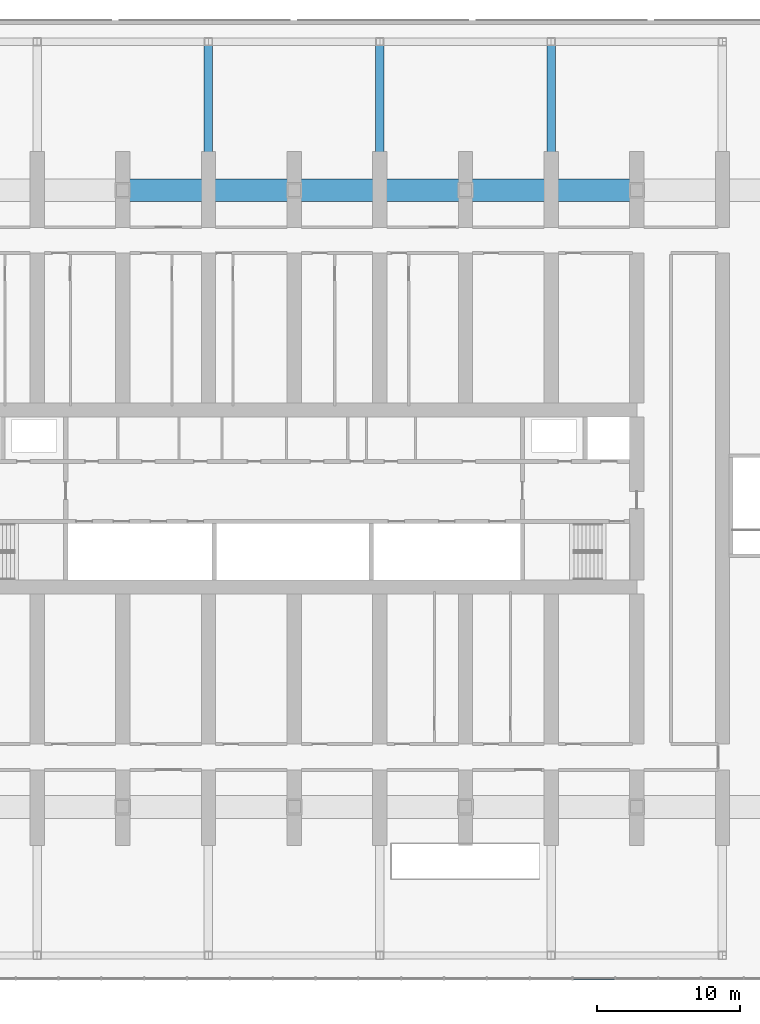
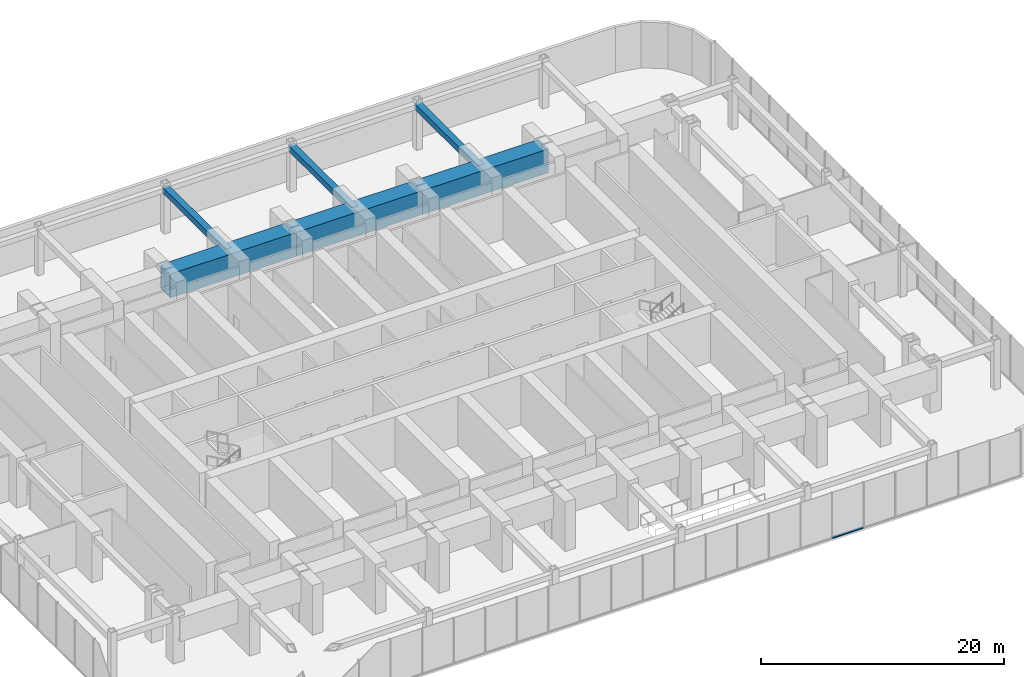
# One storey, part 7 of 26: 6 beams, 1 member, 1 element without a shape of its own.
"""IFC4 building model written with IfcOpenShell, lengths in metres."""

from ifc_helpers import new_model, si_unit, direction, frame, origin, origin_2d, place, context, subcontext, project, spatial, rectangle, hollow_rectangle, extrude, material, material_profile, profile_set, type_object, element, aggregate, save


model = new_model("IFC4")

# Units and contexts
model_context = context("Model", 3, precision=1e-05, world=origin(), true_north=direction((0.0, 1.0)))
body_context = subcontext(model_context, "Body", "Model", "MODEL_VIEW")
ifc_project = project(units=[si_unit("LENGTHUNIT", "METRE"), si_unit("AREAUNIT", "SQUARE_METRE"), si_unit("VOLUMEUNIT", "CUBIC_METRE"), si_unit("PLANEANGLEUNIT", "RADIAN"), si_unit("MASSUNIT", "GRAM", prefix="KILO")], contexts=[model_context])

# Site, building, storey
site_placement = place(None, origin())
site = spatial("IfcSite", under=ifc_project, at=site_placement, CompositionType="ELEMENT")
building_placement = place(site_placement, origin())
building = spatial("IfcBuilding", under=site, at=building_placement, Name="Orbita Commons", CompositionType="ELEMENT")
storey_placement = place(building_placement, frame((0.0, 0.0, 11.0)))
storey = spatial("IfcBuildingStorey", under=building, at=storey_placement, Name="L02", CompositionType="ELEMENT", Elevation=11.0)

# Curtain wall, member
ifc_material_1 = material(Name="Anodised aluminium frame, pale silver", Category="aluminium")
curtain_wall_type = type_object("IfcCurtainWallType", Name="Podium storefront curtain wall CW-P", PredefinedType="NOTDEFINED", material=ifc_material_1)
curtain_wall_placement = place(storey_placement, origin())
curtain_wall = element("IfcCurtainWall", 1, at=curtain_wall_placement, inside=storey, type_object=curtain_wall_type, Name="Curtain wall S 1 L02", PredefinedType="NOTDEFINED")
ifc_material_2 = material(Name="Anodised aluminium, pale silver", Category="aluminium")
ifc_material_profile_1 = material_profile(ifc_material_2, rectangle(XDim=0.219970703125, YDim=0.10009765625, at=origin_2d()), Name="AL 220x100")
ifc_profile_set_1 = profile_set([ifc_material_profile_1], Name="Anodised aluminium, pale silver")
member_type = type_object("IfcMemberType", Name="Curtain wall stack transom 220x100", PredefinedType="USERDEFINED", material=ifc_profile_set_1)
member_placement = place(storey_placement, frame((61.5400390625, -1.610107421875, 0.050048828125), z_axis=(1.0, 0.0, 0.0), x_axis=(0.0, 1.0, 0.0)))
member = element("IfcMember", 2, at=member_placement, type_object=member_type, Name="Transom 20.1 CW-L02-S0", ObjectType="TRANSOM", PredefinedType="USERDEFINED", context=body_context, shape_type="SweptSolid", body=[
    extrude(rectangle(XDim=0.219970703125, YDim=0.10009765625, at=origin_2d()), origin(), (0.0, 0.0, 1.0), 2.919921875),
])
aggregate(curtain_wall, [member])

# Beams
ifc_material_3 = material(Name="Steel ASTM A572 Gr 50 welded plate", Category="steel")
ifc_material_profile_2 = material_profile(ifc_material_3, hollow_rectangle(XDim=0.60009765625, YDim=0.60009765625, WallThickness=0.06005859375, at=origin_2d()), Name="BOX 600x600x60")
ifc_profile_set_2 = profile_set([ifc_material_profile_2], Name="Steel ASTM A572 Gr 50 welded plate")
beam_type_1 = type_object("IfcBeamType", Name="Steel podium beam BOX 600x600x60", PredefinedType="BEAM", material=ifc_profile_set_2)
for number, where, z_axis, x_axis, name in (
    (3, (36.0, 53.60009765625, 4.300048828125), (0.0, 1.0, 0.0), (-1.0, 0.0, 0.0), "Podium beam 7 E-F L02"),
    (4, (48.0, 53.60009765625, 4.300048828125), (0.0, 1.0, 0.0), (-1.0, 0.0, 0.0), "Podium beam 9 E-F L02"),
    (5, (60.0, 53.60009765625, 4.300048828125), (0.0, 1.0, 0.0), (-1.0, 0.0, 0.0), "Podium beam 11 E-F L02"),
):
    element("IfcBeam", number, at=place(storey_placement, frame(where, z_axis=z_axis, x_axis=x_axis)), inside=storey, type_object=beam_type_1, Name=name, PredefinedType="BEAM", context=body_context, shape_type="SweptSolid", body=[
        extrude(hollow_rectangle(XDim=0.60009765625, YDim=0.60009765625, WallThickness=0.06005859375, at=origin_2d()), origin(), (0.0, 0.0, 1.0), 10.39990234375),
    ])
ifc_material_4 = material(Name="Steel ASTM A572 Gr 42 welded plate", Category="steel")
ifc_material_profile_3 = material_profile(ifc_material_4, hollow_rectangle(XDim=1.60009765625, YDim=2.39990234375, WallThickness=0.14990234375, at=origin_2d()), Name="BOX 2400x1600x150")
ifc_profile_set_3 = profile_set([ifc_material_profile_3], Name="Steel ASTM A572 Gr 42 welded plate")
beam_type_2 = type_object("IfcBeamType", Name="Steel transfer girder BOX 2400x1600x150", PredefinedType="BEAM", material=ifc_profile_set_3)
for number, where, z_axis, x_axis, name in (
    (6, (30.0, 53.60009765625, 3.39990234375), (1.0, 0.0, 0.0), (0.0, 1.0, 0.0), "Transfer girder E 6-8"),
    (7, (42.0, 53.60009765625, 3.39990234375), (1.0, 0.0, 0.0), (0.0, 1.0, 0.0), "Transfer girder E 8-10"),
    (8, (54.0, 53.60009765625, 3.39990234375), (1.0, 0.0, 0.0), (0.0, 1.0, 0.0), "Transfer girder E 10-12"),
):
    element("IfcBeam", number, at=place(storey_placement, frame(where, z_axis=z_axis, x_axis=x_axis)), inside=storey, type_object=beam_type_2, Name=name, PredefinedType="BEAM", context=body_context, shape_type="SweptSolid", body=[
        extrude(hollow_rectangle(XDim=1.60009765625, YDim=2.39990234375, WallThickness=0.14990234375, at=origin_2d()), origin(), (0.0, 0.0, 1.0), 12.0),
    ])

save(model, "model.ifc")
